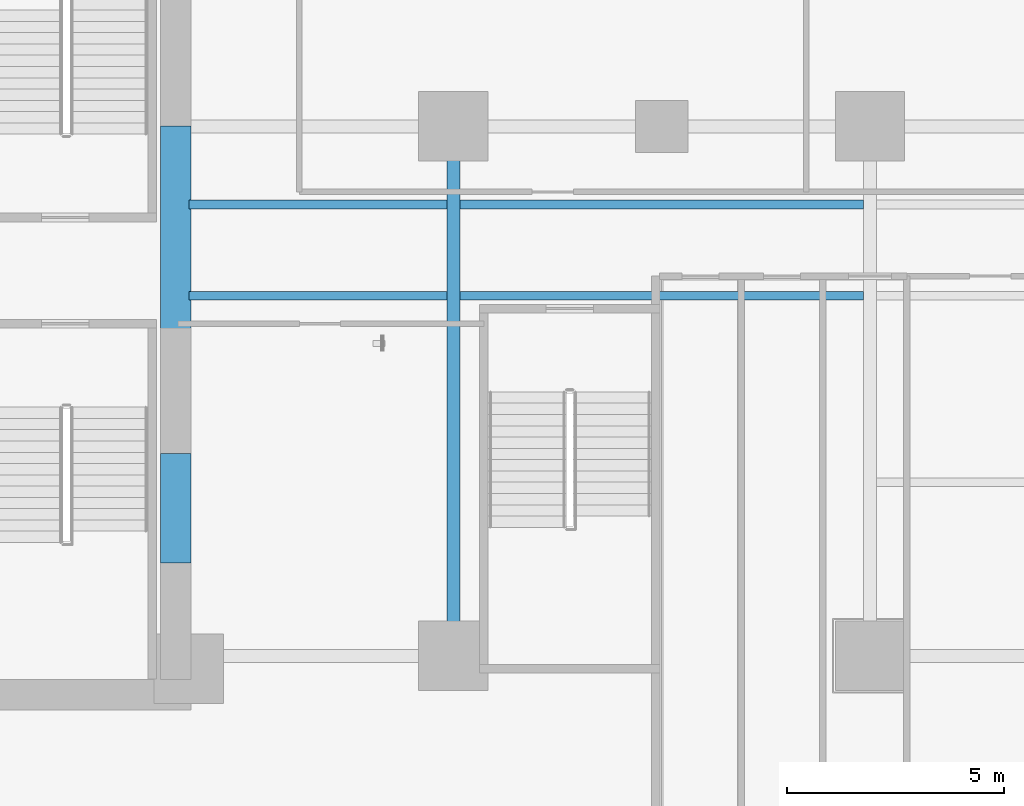
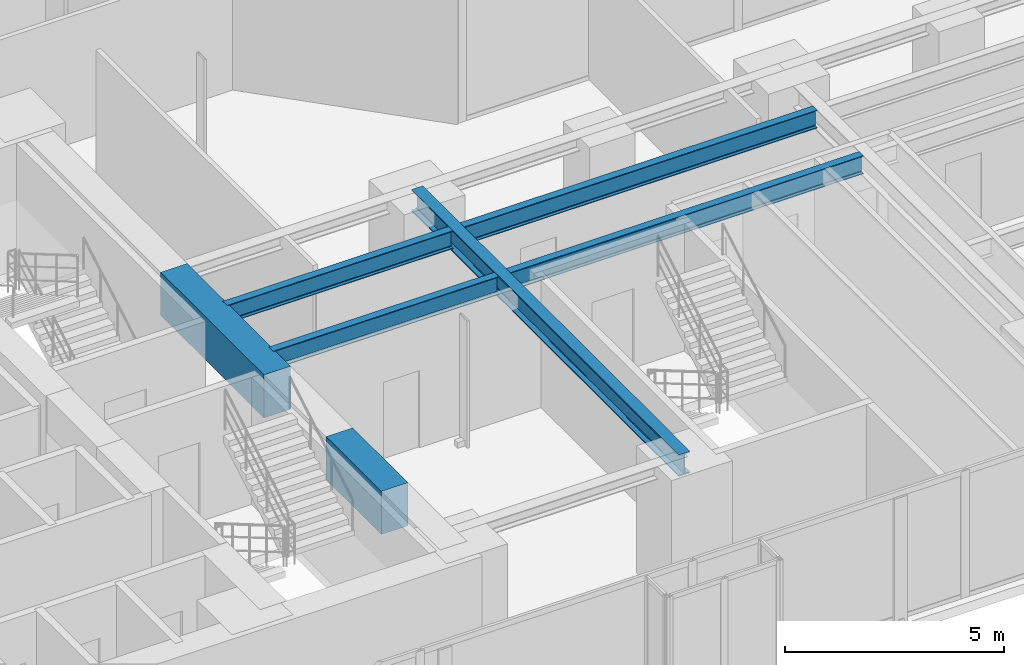
# One storey, part 5 of 27: 7 beams.
"""IFC4 building model written with IfcOpenShell, lengths in metres."""

from ifc_helpers import new_model, si_unit, direction, frame, origin, origin_2d, place, context, subcontext, project, spatial, rectangle, i_section, extrude, material, material_profile, profile_set, type_object, element, save


model = new_model("IFC4")

# Units and contexts
model_context = context("Model", 3, precision=1e-05, world=origin(), true_north=direction((0.0, 1.0)))
body_context = subcontext(model_context, "Body", "Model", "MODEL_VIEW")
ifc_project = project(units=[si_unit("LENGTHUNIT", "METRE"), si_unit("AREAUNIT", "SQUARE_METRE"), si_unit("VOLUMEUNIT", "CUBIC_METRE"), si_unit("PLANEANGLEUNIT", "RADIAN"), si_unit("MASSUNIT", "GRAM", prefix="KILO")], contexts=[model_context])

# Site, building, storey
site_placement = place(None, origin())
site = spatial("IfcSite", under=ifc_project, at=site_placement, CompositionType="ELEMENT")
building_placement = place(site_placement, origin())
building = spatial("IfcBuilding", under=site, at=building_placement, Name="Kolvaren Waterfront Exchange", CompositionType="ELEMENT")
storey_placement = place(building_placement, frame((0.0, 0.0, 60.0)))
storey = spatial("IfcBuildingStorey", under=building, at=storey_placement, Name="L15", CompositionType="ELEMENT", Elevation=60.0)

# Beams
ifc_material_1 = material(Name="Steel S355", Category="steel")
ifc_material_profile_1 = material_profile(ifc_material_1, i_section(OverallWidth=0.300048828125, OverallDepth=0.60009765625, WebThickness=0.015380859375, FlangeThickness=0.030029296875, FilletRadius=0.027099609375, at=origin_2d()), Name="HEB600")
ifc_profile_set_1 = profile_set([ifc_material_profile_1], Name="Steel S355")
beam_type_1 = type_object("IfcBeamType", Name="STR-BM-HEB600", PredefinedType="BEAM", material=ifc_profile_set_1)
beam_1_placement = place(storey_placement, frame((27.199951171875, 5.199951171875, 3.239990234375), z_axis=(0.0, 1.0, 0.0), x_axis=(-1.0, 0.0, 0.0)))
element("IfcBeam", 1, at=beam_1_placement, inside=storey, type_object=beam_type_1, Name="L15 east-arm transverse girder X27", PredefinedType="BEAM", context=body_context, shape_type="SweptSolid", body=[
    extrude(i_section(OverallWidth=0.300048828125, OverallDepth=0.60009765625, WebThickness=0.015380859375, FlangeThickness=0.030029296875, FilletRadius=0.027099609375, at=origin_2d()), origin(), (0.0, 0.0, 1.0), 12.199951171875),
])
ifc_material_profile_2 = material_profile(ifc_material_1, i_section(OverallWidth=0.199951171875, OverallDepth=0.5, WebThickness=0.01025390625, FlangeThickness=0.01611328125, FilletRadius=0.02099609375, at=origin_2d()), Name="IPE500")
ifc_profile_set_2 = profile_set([ifc_material_profile_2], Name="Steel S355")
beam_type_2 = type_object("IfcBeamType", Name="STR-BM-IPE500", PredefinedType="JOIST", material=ifc_profile_set_2)
for number, where, z_axis, x_axis, name in (
    (2, (21.10009765625, 13.5, 3.2900390625), (1.0, 0.0, 0.0), (0.0, 1.0, 0.0), "L15 east-arm composite joist 1A"),
    (3, (21.10009765625, 15.60009765625, 3.2900390625), (1.0, 0.0, 0.0), (0.0, 1.0, 0.0), "L15 east-arm composite joist 1C"),
):
    element("IfcBeam", number, at=place(storey_placement, frame(where, z_axis=z_axis, x_axis=x_axis)), inside=storey, type_object=beam_type_2, Name=name, PredefinedType="JOIST", context=body_context, shape_type="SweptSolid", body=[
        extrude(i_section(OverallWidth=0.199951171875, OverallDepth=0.5, WebThickness=0.01025390625, FlangeThickness=0.01611328125, FilletRadius=0.02099609375, at=origin_2d()), origin(), (0.0, 0.0, 1.0), 5.947998046875),
    ])
for number, where, z_axis, x_axis, name in (
    (4, (27.35205078125, 13.5, 3.2900390625), (1.0, 0.0, 0.0), (0.0, 1.0, 0.0), "L15 east-arm composite joist 2A"),
    (5, (27.35205078125, 15.60009765625, 3.2900390625), (1.0, 0.0, 0.0), (0.0, 1.0, 0.0), "L15 east-arm composite joist 2C"),
):
    element("IfcBeam", number, at=place(storey_placement, frame(where, z_axis=z_axis, x_axis=x_axis)), inside=storey, type_object=beam_type_2, Name=name, PredefinedType="JOIST", context=body_context, shape_type="SweptSolid", body=[
        extrude(i_section(OverallWidth=0.199951171875, OverallDepth=0.5, WebThickness=0.01025390625, FlangeThickness=0.01611328125, FilletRadius=0.02099609375, at=origin_2d()), origin(), (0.0, 0.0, 1.0), 9.2958984375),
    ])
ifc_material_2 = material(Name="Concrete C70/85", Category="concrete")
ifc_material_profile_3 = material_profile(ifc_material_2, rectangle(XDim=0.699951171875, YDim=1.199951171875, at=origin_2d()), Name="RC-CB-1200x700")
ifc_profile_set_3 = profile_set([ifc_material_profile_3], Name="Concrete C70/85")
beam_type_3 = type_object("IfcBeamType", Name="STR-CB-1200", PredefinedType="SPANDREL", material=ifc_profile_set_3)
beam_2_placement = place(storey_placement, frame((20.800048828125, 7.340087890625, 2.93994140625), z_axis=(0.0, 1.0, 0.0), x_axis=(-1.0, 0.0, 0.0)))
element("IfcBeam", 6, at=beam_2_placement, inside=storey, type_object=beam_type_3, Name="L15 core coupling beam 1", PredefinedType="SPANDREL", context=body_context, shape_type="SweptSolid", body=[
    extrude(rectangle(XDim=0.699951171875, YDim=1.199951171875, at=origin_2d()), origin(), (0.0, 0.0, 1.0), 2.52001953125),
])
beam_3_placement = place(storey_placement, frame((20.800048828125, 12.68994140625, 2.93994140625), z_axis=(0.0, 1.0, 0.0), x_axis=(-1.0, 0.0, 0.0)))
element("IfcBeam", 7, at=beam_3_placement, inside=storey, type_object=beam_type_3, Name="L15 core coupling beam 2", PredefinedType="SPANDREL", context=body_context, shape_type="SweptSolid", body=[
    extrude(rectangle(XDim=0.699951171875, YDim=1.199951171875, at=origin_2d()), origin(), (0.0, 0.0, 1.0), 4.719970703125),
])

save(model, "model.ifc")
